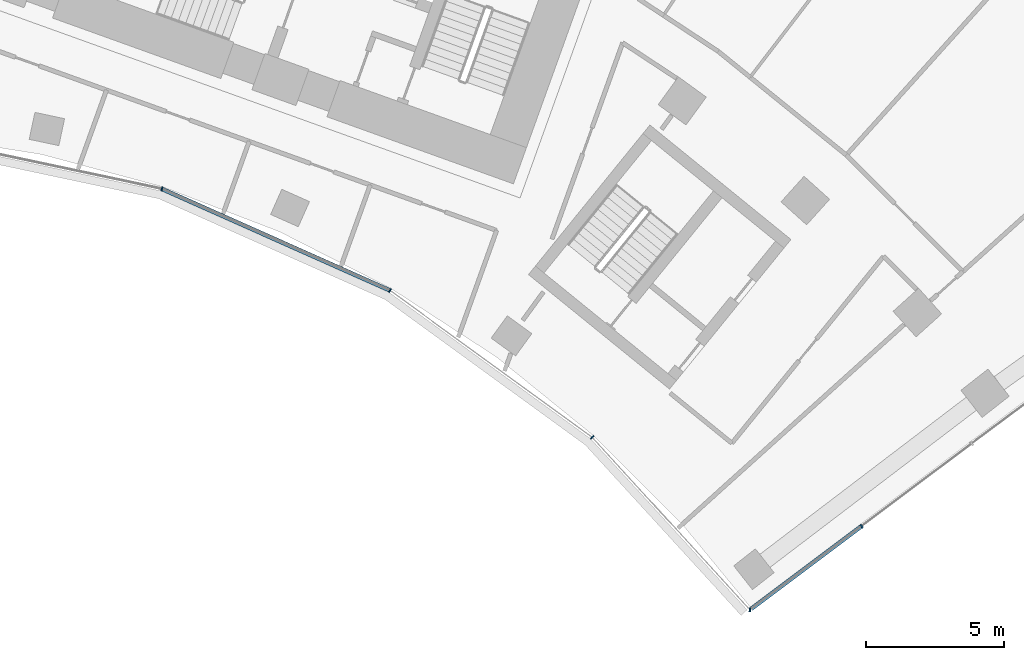
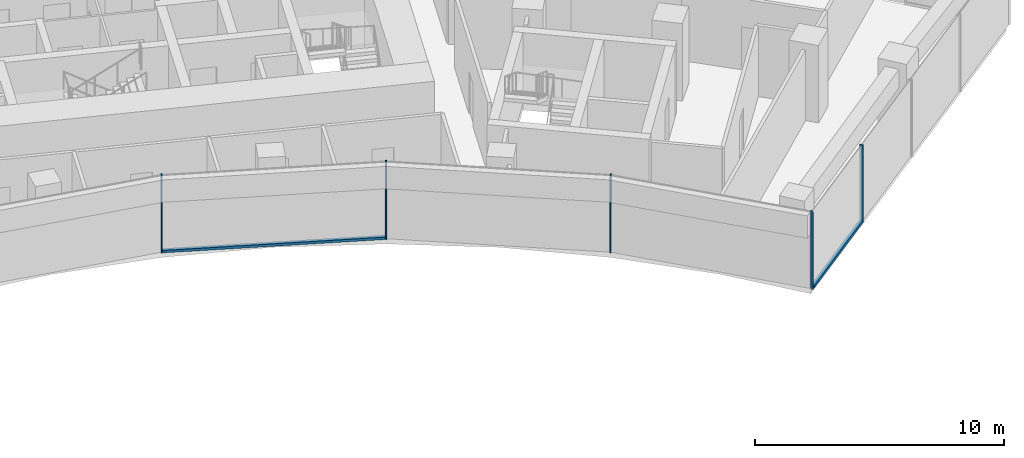
# One storey, part 8 of 21: 7 members, 2 elements without a shape of their own.
"""IFC4 building model written with IfcOpenShell, lengths in metres."""

from ifc_helpers import new_model, si_unit, direction, frame, origin, origin_2d, place, context, subcontext, project, spatial, rectangle, extrude, material, layer, layer_set, material_profile, profile_set, type_object, element, aggregate, save


model = new_model("IFC4")

# Units and contexts
model_context = context("Model", 3, precision=1e-05, world=origin(), true_north=direction((0.0, 1.0)))
body_context = subcontext(model_context, "Body", "Model", "MODEL_VIEW")
ifc_project = project(units=[si_unit("LENGTHUNIT", "METRE"), si_unit("AREAUNIT", "SQUARE_METRE"), si_unit("VOLUMEUNIT", "CUBIC_METRE"), si_unit("PLANEANGLEUNIT", "RADIAN"), si_unit("MASSUNIT", "GRAM", prefix="KILO")], contexts=[model_context])

# Site, building, storey
site_placement = place(None, origin())
site = spatial("IfcSite", under=ifc_project, at=site_placement, CompositionType="ELEMENT")
building_placement = place(site_placement, origin())
building = spatial("IfcBuilding", under=site, at=building_placement, Name="Stone Belt Terrace Tower", CompositionType="ELEMENT")
storey_placement = place(building_placement, frame((0.0, 0.0, 151.60009765625)))
storey = spatial("IfcBuildingStorey", under=building, at=storey_placement, Name="L36", CompositionType="ELEMENT", Elevation=151.60009765625)

# Curtain wall, members
ifc_material = material(Name="Aluminium 6063-T6 anodised frame", Category="aluminium")
ifc_layer_1 = layer(ifc_material, 0.14990234375)
ifc_layer_set_1 = layer_set([ifc_layer_1], Name="CW-B unitised concave-face curtain wall")
curtain_wall_type_1 = type_object("IfcCurtainWallType", Name="CW-B unitised concave-face curtain wall", PredefinedType="NOTDEFINED", material=ifc_layer_set_1)
curtain_wall_1_placement = place(storey_placement, origin())
curtain_wall_1 = element("IfcCurtainWall", 1, at=curtain_wall_1_placement, inside=storey, type_object=curtain_wall_type_1, Name="CW-B concave face L36", PredefinedType="NOTDEFINED")
ifc_material_profile_1 = material_profile(ifc_material, rectangle(XDim=0.14990234375, YDim=0.050048828125, at=origin_2d()), Name="Aluminium 6063-T6 50x150")
ifc_profile_set_1 = profile_set([ifc_material_profile_1], Name="Aluminium 6063-T6 anodised frame")
member_type_1 = type_object("IfcMemberType", Name="CW-B mullion 50 x 150", PredefinedType="MULLION", material=ifc_profile_set_1)
member_1_placement = place(storey_placement, frame((13.4189453125, 41.29931640625, 0.0), z_axis=(0.0, 0.0, 1.0), x_axis=(0.309016994375, 0.951056516295, 0.0)))
member_1 = element("IfcMember", 2, at=member_1_placement, type_object=member_type_1, Name="CW-B mullion 7", PredefinedType="MULLION", context=body_context, shape_type="SweptSolid", body=[
    extrude(rectangle(XDim=0.14990234375, YDim=0.050048828125, at=origin_2d()), origin(), (0.0, 0.0, 1.0), 3.7998046875),
])
member_2_placement = place(storey_placement, frame((21.71240234375, 37.606689453125, 0.0), z_axis=(0.0, 0.0, 1.0), x_axis=(0.5, 0.866025403784, 0.0)))
member_2 = element("IfcMember", 3, at=member_2_placement, type_object=member_type_1, Name="CW-B mullion 8", PredefinedType="MULLION", context=body_context, shape_type="SweptSolid", body=[
    extrude(rectangle(XDim=0.14990234375, YDim=0.050048828125, at=origin_2d()), origin(), (0.0, 0.0, 1.0), 3.7998046875),
])
member_3_placement = place(storey_placement, frame((29.056884765625, 32.2705078125, 0.0), z_axis=(0.0, 0.0, 1.0), x_axis=(0.666300886777, 0.745682994496, 0.0)))
member_3 = element("IfcMember", 4, at=member_3_placement, type_object=member_type_1, Name="CW-B mullion 9", PredefinedType="MULLION", context=body_context, shape_type="SweptSolid", body=[
    extrude(rectangle(XDim=0.14990234375, YDim=0.050048828125, at=origin_2d()), origin(), (0.0, 0.0, 1.0), 3.7998046875),
])
ifc_material_profile_2 = material_profile(ifc_material, rectangle(XDim=0.14990234375, YDim=0.1201171875, at=origin_2d()), Name="Aluminium 6063-T6 150x120")
ifc_profile_set_2 = profile_set([ifc_material_profile_2], Name="Aluminium 6063-T6 anodised frame")
member_type_2 = type_object("IfcMemberType", Name="CW-B transom 120 x 150", PredefinedType="USERDEFINED", material=ifc_profile_set_2)
member_4_placement = place(storey_placement, frame((13.44873046875, 41.285888671875, 0.059814453125), z_axis=(0.913548853737, -0.406729015237, 0.0), x_axis=(0.406729015237, 0.913548853737, 0.0)))
member_4 = element("IfcMember", 5, at=member_4_placement, type_object=member_type_2, Name="CW-B transom 7.1", ObjectType="TRANSOM", PredefinedType="USERDEFINED", context=body_context, shape_type="SweptSolid", body=[
    extrude(rectangle(XDim=0.14990234375, YDim=0.1201171875, at=origin_2d()), origin(), (0.0, 0.0, 1.0), 9.0126953125),
])
aggregate(curtain_wall_1, [member_1, member_2, member_3, member_4])

ifc_layer_2 = layer(ifc_material, 0.14990234375)
ifc_layer_set_2 = layer_set([ifc_layer_2], Name="CW-C stick curtain wall, horn ends and notches")
curtain_wall_type_2 = type_object("IfcCurtainWallType", Name="CW-C stick curtain wall, horn ends and notches", PredefinedType="NOTDEFINED", material=ifc_layer_set_2)
curtain_wall_2_placement = place(storey_placement, origin())
curtain_wall_2 = element("IfcCurtainWall", 6, at=curtain_wall_2_placement, inside=storey, type_object=curtain_wall_type_2, Name="CW-C end face L36", PredefinedType="NOTDEFINED")
ifc_material_profile_3 = material_profile(ifc_material, rectangle(XDim=0.14990234375, YDim=0.06005859375, at=origin_2d()), Name="Aluminium 6063-T6 60x150")
ifc_profile_set_3 = profile_set([ifc_material_profile_3], Name="Aluminium 6063-T6 anodised frame")
member_type_3 = type_object("IfcMemberType", Name="CW-C mullion 60 x 150", PredefinedType="MULLION", material=ifc_profile_set_3)
member_5_placement = place(storey_placement, frame((34.7900390625, 26.0, 0.0), z_axis=(0.0, 0.0, 1.0), x_axis=(0.093180581986, 0.995649224949, 0.0)))
member_5 = element("IfcMember", 7, at=member_5_placement, type_object=member_type_3, Name="CW-C mullion 1", PredefinedType="MULLION", context=body_context, shape_type="SweptSolid", body=[
    extrude(rectangle(XDim=0.14990234375, YDim=0.06005859375, at=origin_2d()), origin(), (0.0, 0.0, 1.0), 3.7998046875),
])
member_6_placement = place(storey_placement, frame((38.84423828125, 29.040771484375, 0.0), z_axis=(0.0, 0.0, 1.0), x_axis=(-0.600017992436, 0.799986505357, 0.0)))
member_6 = element("IfcMember", 8, at=member_6_placement, type_object=member_type_3, Name="CW-C mullion 2", PredefinedType="MULLION", context=body_context, shape_type="SweptSolid", body=[
    extrude(rectangle(XDim=0.14990234375, YDim=0.06005859375, at=origin_2d()), origin(), (0.0, 0.0, 1.0), 3.7998046875),
])
ifc_material_profile_4 = material_profile(ifc_material, rectangle(XDim=0.14990234375, YDim=0.1201171875, at=origin_2d()), Name="Aluminium 6063-T6 150x120")
ifc_profile_set_4 = profile_set([ifc_material_profile_4], Name="Aluminium 6063-T6 anodised frame")
member_type_4 = type_object("IfcMemberType", Name="CW-C transom 120 x 150", PredefinedType="USERDEFINED", material=ifc_profile_set_4)
member_7_placement = place(storey_placement, frame((34.84814453125, 26.04345703125, 0.059814453125), z_axis=(0.799964597593, 0.600047200309, 0.0), x_axis=(-0.600047200309, 0.799964597593, 0.0)))
member_7 = element("IfcMember", 9, at=member_7_placement, type_object=member_type_4, Name="CW-C transom 1.1", ObjectType="TRANSOM", PredefinedType="USERDEFINED", context=body_context, shape_type="SweptSolid", body=[
    extrude(rectangle(XDim=0.14990234375, YDim=0.1201171875, at=origin_2d()), origin(), (0.0, 0.0, 1.0), 4.96533203125),
])
aggregate(curtain_wall_2, [member_5, member_6, member_7])

save(model, "model.ifc")
